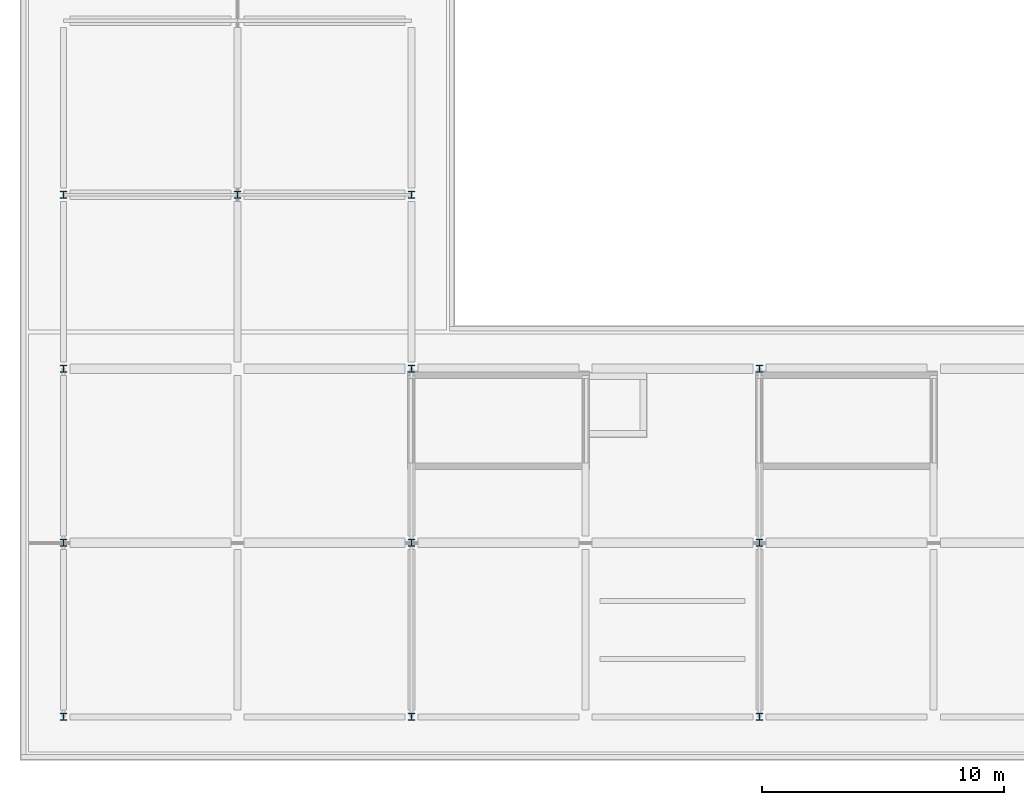
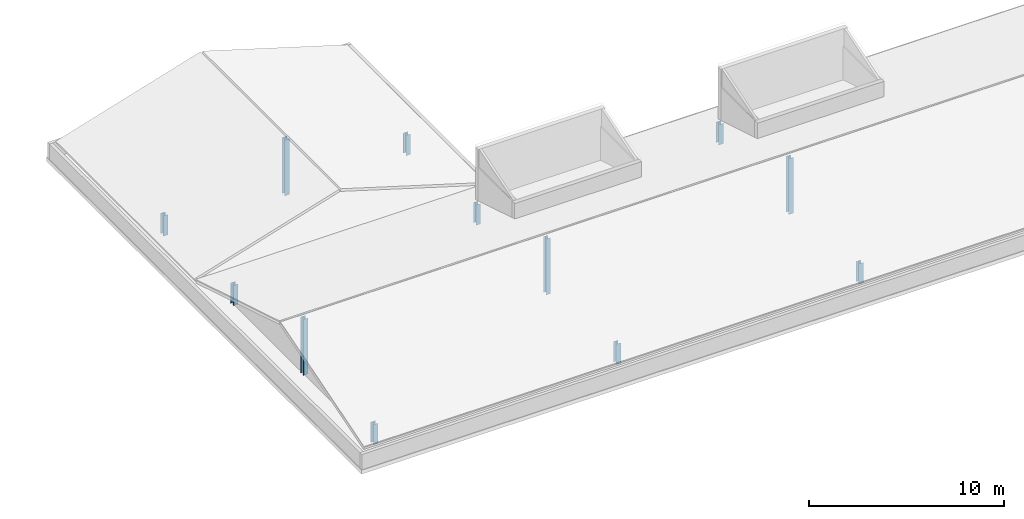
# One storey, part 1 of 60: 12 columns.
"""IFC4 building model written with IfcOpenShell, lengths in metres."""

from ifc_helpers import new_model, si_unit, direction, frame, origin, origin_with_axes, origin_2d, place, context, subcontext, project, spatial, i_section, extrude, material, material_profile, profile_set, type_object, element, save


model = new_model("IFC4")

# Units and contexts
model_context = context("Model", 3, precision=1e-05, world=origin(), true_north=direction((0.0, 1.0)))
body_context = subcontext(model_context, "Body", "Model", "MODEL_VIEW")
ifc_project = project(units=[si_unit("LENGTHUNIT", "METRE"), si_unit("AREAUNIT", "SQUARE_METRE"), si_unit("VOLUMEUNIT", "CUBIC_METRE"), si_unit("PLANEANGLEUNIT", "RADIAN"), si_unit("MASSUNIT", "GRAM", prefix="KILO")], contexts=[model_context])

# Site, building, storey
site_placement = place(None, origin())
site = spatial("IfcSite", under=ifc_project, at=site_placement, CompositionType="ELEMENT")
building_placement = place(site_placement, origin())
building = spatial("IfcBuilding", under=site, at=building_placement, Name="Suanplinth Sawtooth Commons", CompositionType="ELEMENT")
storey_placement = place(building_placement, frame((0.0, 0.0, 31.5)))
storey = spatial("IfcBuildingStorey", under=building, at=storey_placement, Name="L09", CompositionType="ELEMENT", Elevation=31.5)

# Columns
ifc_material = material(Name="Steel S355JR", Category="steel")
ifc_material_profile = material_profile(ifc_material, i_section(OverallWidth=0.280029296875, OverallDepth=0.280029296875, WebThickness=0.010498046875, FlangeThickness=0.01806640625, at=origin_2d()), Name="HEB 280")
ifc_profile_set = profile_set([ifc_material_profile], Name="Steel S355JR")
column_type = type_object("IfcColumnType", Name="C-11", PredefinedType="COLUMN", material=ifc_profile_set)
column_1_placement = place(storey_placement, origin_with_axes())
element("IfcColumn", 1, at=column_1_placement, inside=storey, type_object=column_type, Name="Crown Post D 1", PredefinedType="COLUMN", context=body_context, shape_type="SweptSolid", body=[
    extrude(i_section(OverallWidth=0.280029296875, OverallDepth=0.280029296875, WebThickness=0.010498046875, FlangeThickness=0.01806640625, at=origin_2d()), origin(), (0.0, 0.0, 1.0), 1.27001953125),
])
column_2_placement = place(storey_placement, frame((0.0, 7.199951171875, 0.0), z_axis=(0.0, 0.0, 1.0), x_axis=(1.0, 0.0, 0.0)))
element("IfcColumn", 2, at=column_2_placement, inside=storey, type_object=column_type, Name="Crown Post D 1", PredefinedType="COLUMN", context=body_context, shape_type="SweptSolid", body=[
    extrude(i_section(OverallWidth=0.280029296875, OverallDepth=0.280029296875, WebThickness=0.010498046875, FlangeThickness=0.01806640625, at=origin_2d()), origin(), (0.0, 0.0, 1.0), 3.5),
])
for number, where, z_axis, x_axis, name in (
    (3, (0.0, 14.39990234375, 0.0), (0.0, 0.0, 1.0), (1.0, 0.0, 0.0), "Crown Post D 1"),
    (4, (14.39990234375, 0.0, 0.0), (0.0, 0.0, 1.0), (1.0, 0.0, 0.0), "Crown Post D 3"),
):
    element("IfcColumn", number, at=place(storey_placement, frame(where, z_axis=z_axis, x_axis=x_axis)), inside=storey, type_object=column_type, Name=name, PredefinedType="COLUMN", context=body_context, shape_type="SweptSolid", body=[
        extrude(i_section(OverallWidth=0.280029296875, OverallDepth=0.280029296875, WebThickness=0.010498046875, FlangeThickness=0.01806640625, at=origin_2d()), origin(), (0.0, 0.0, 1.0), 1.27001953125),
    ])
column_3_placement = place(storey_placement, frame((14.39990234375, 7.199951171875, 0.0), z_axis=(0.0, 0.0, 1.0), x_axis=(1.0, 0.0, 0.0)))
element("IfcColumn", 5, at=column_3_placement, inside=storey, type_object=column_type, Name="Crown Post D 3", PredefinedType="COLUMN", context=body_context, shape_type="SweptSolid", body=[
    extrude(i_section(OverallWidth=0.280029296875, OverallDepth=0.280029296875, WebThickness=0.010498046875, FlangeThickness=0.01806640625, at=origin_2d()), origin(), (0.0, 0.0, 1.0), 3.5),
])
for number, where, z_axis, x_axis, name in (
    (6, (14.39990234375, 14.39990234375, 0.0), (0.0, 0.0, 1.0), (1.0, 0.0, 0.0), "Crown Post D 3"),
    (7, (28.800048828125, 0.0, 0.0), (0.0, 0.0, 1.0), (1.0, 0.0, 0.0), "Crown Post D 5"),
):
    element("IfcColumn", number, at=place(storey_placement, frame(where, z_axis=z_axis, x_axis=x_axis)), inside=storey, type_object=column_type, Name=name, PredefinedType="COLUMN", context=body_context, shape_type="SweptSolid", body=[
        extrude(i_section(OverallWidth=0.280029296875, OverallDepth=0.280029296875, WebThickness=0.010498046875, FlangeThickness=0.01806640625, at=origin_2d()), origin(), (0.0, 0.0, 1.0), 1.27001953125),
    ])
column_4_placement = place(storey_placement, frame((28.800048828125, 7.199951171875, 0.0), z_axis=(0.0, 0.0, 1.0), x_axis=(1.0, 0.0, 0.0)))
element("IfcColumn", 8, at=column_4_placement, inside=storey, type_object=column_type, Name="Crown Post D 5", PredefinedType="COLUMN", context=body_context, shape_type="SweptSolid", body=[
    extrude(i_section(OverallWidth=0.280029296875, OverallDepth=0.280029296875, WebThickness=0.010498046875, FlangeThickness=0.01806640625, at=origin_2d()), origin(), (0.0, 0.0, 1.0), 3.5),
])
for number, where, z_axis, x_axis, name in (
    (9, (28.800048828125, 14.39990234375, 0.0), (0.0, 0.0, 1.0), (1.0, 0.0, 0.0), "Crown Post D 5"),
    (10, (0.0, 21.60009765625, 0.0), (0.0, 0.0, 1.0), (1.0, 0.0, 0.0), "Return Crown Post D 3"),
):
    element("IfcColumn", number, at=place(storey_placement, frame(where, z_axis=z_axis, x_axis=x_axis)), inside=storey, type_object=column_type, Name=name, PredefinedType="COLUMN", context=body_context, shape_type="SweptSolid", body=[
        extrude(i_section(OverallWidth=0.280029296875, OverallDepth=0.280029296875, WebThickness=0.010498046875, FlangeThickness=0.01806640625, at=origin_2d()), origin(), (0.0, 0.0, 1.0), 1.27001953125),
    ])
column_5_placement = place(storey_placement, frame((7.199951171875, 21.60009765625, 0.0), z_axis=(0.0, 0.0, 1.0), x_axis=(1.0, 0.0, 0.0)))
element("IfcColumn", 11, at=column_5_placement, inside=storey, type_object=column_type, Name="Return Crown Post D 3", PredefinedType="COLUMN", context=body_context, shape_type="SweptSolid", body=[
    extrude(i_section(OverallWidth=0.280029296875, OverallDepth=0.280029296875, WebThickness=0.010498046875, FlangeThickness=0.01806640625, at=origin_2d()), origin(), (0.0, 0.0, 1.0), 3.5),
])
column_6_placement = place(storey_placement, frame((14.39990234375, 21.60009765625, 0.0), z_axis=(0.0, 0.0, 1.0), x_axis=(1.0, 0.0, 0.0)))
element("IfcColumn", 12, at=column_6_placement, inside=storey, type_object=column_type, Name="Return Crown Post D 3", PredefinedType="COLUMN", context=body_context, shape_type="SweptSolid", body=[
    extrude(i_section(OverallWidth=0.280029296875, OverallDepth=0.280029296875, WebThickness=0.010498046875, FlangeThickness=0.01806640625, at=origin_2d()), origin(), (0.0, 0.0, 1.0), 1.27001953125),
])

save(model, "model.ifc")
